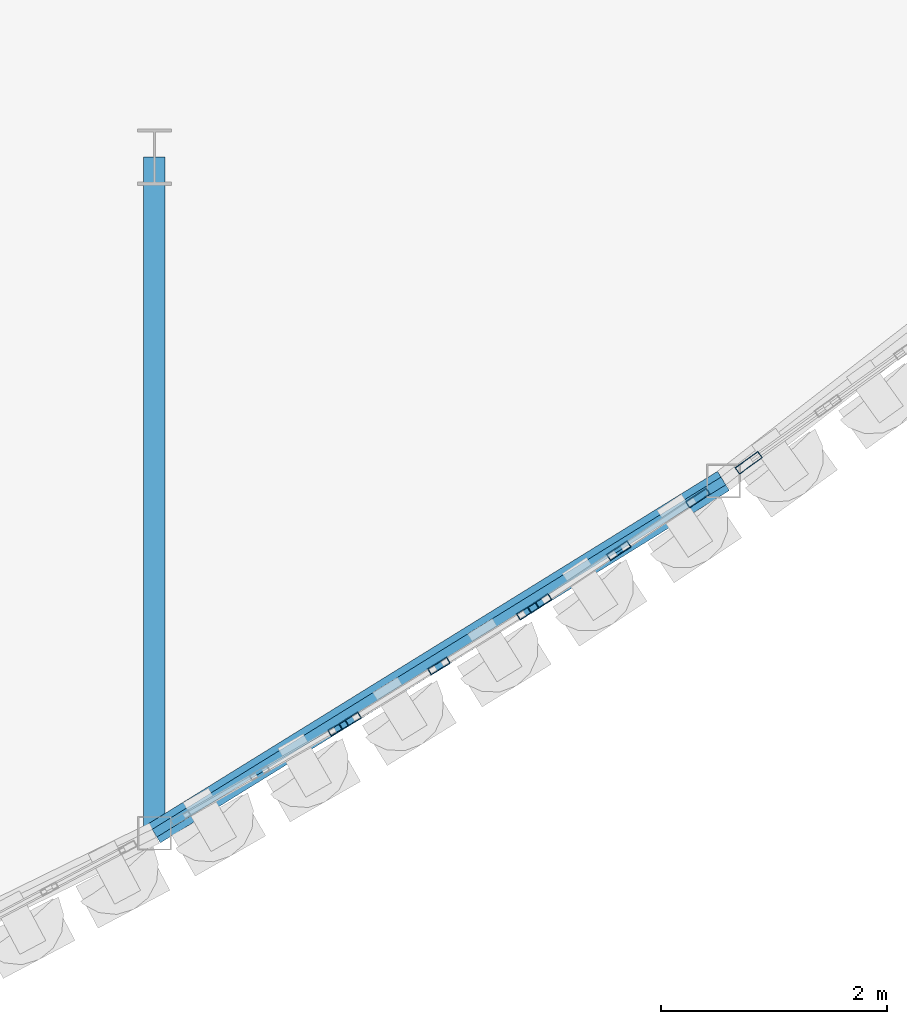
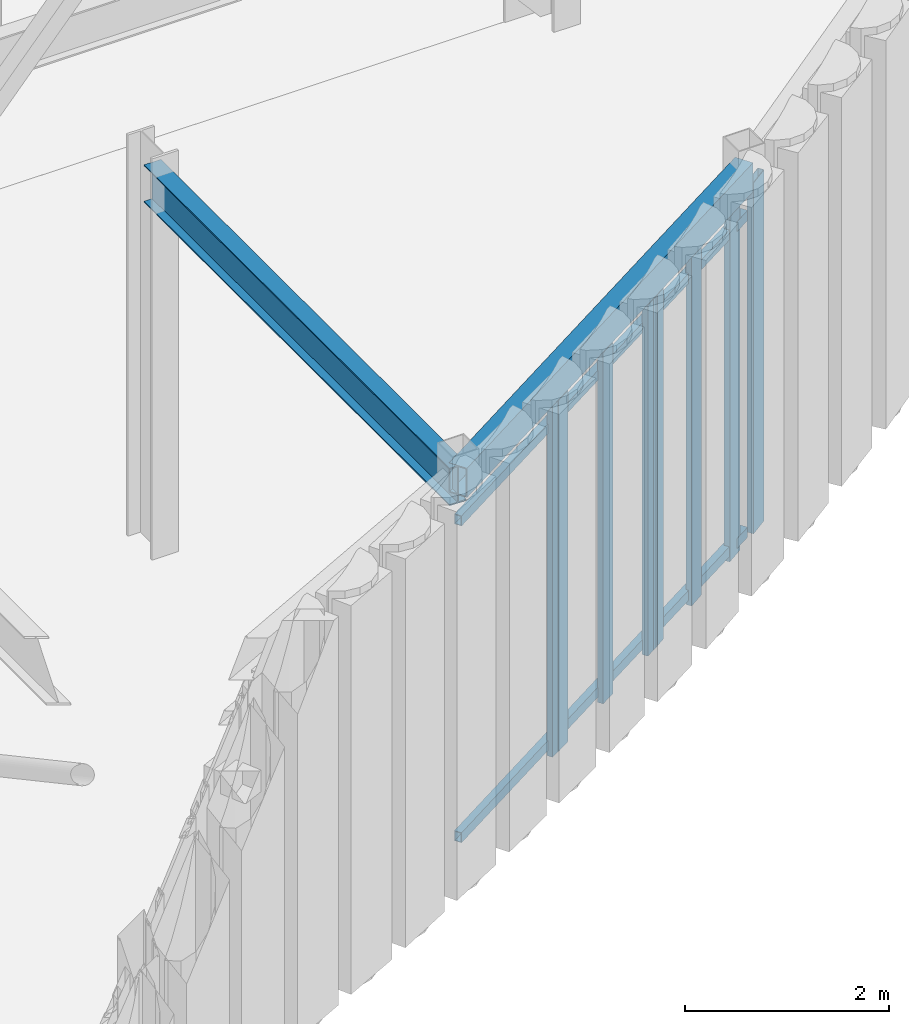
# One storey, part 49 of 121: 10 members, 2 beams, 4 elements without a shape of their own.
"""IFC4 building model written with IfcOpenShell, lengths in metres."""

from ifc_helpers import new_model, si_unit, direction, frame, origin, origin_2d, place, context, subcontext, project, spatial, hollow_rectangle, i_section, extrude, material, layer, layer_set, material_profile, profile_set, type_object, element, aggregate, save


model = new_model("IFC4")

# Units and contexts
model_context = context("Model", 3, precision=1e-05, world=origin(), true_north=direction((0.0, 1.0)))
body_context = subcontext(model_context, "Body", "Model", "MODEL_VIEW")
ifc_project = project(units=[si_unit("LENGTHUNIT", "METRE"), si_unit("AREAUNIT", "SQUARE_METRE"), si_unit("VOLUMEUNIT", "CUBIC_METRE"), si_unit("PLANEANGLEUNIT", "RADIAN"), si_unit("MASSUNIT", "GRAM", prefix="KILO")], contexts=[model_context])

# Site, building, storey
site_placement = place(None, origin())
site = spatial("IfcSite", under=ifc_project, at=site_placement, CompositionType="ELEMENT")
building_placement = place(site_placement, origin())
building = spatial("IfcBuilding", under=site, at=building_placement, Name="Solvadek Multi-Sports Hall", CompositionType="ELEMENT")
storey_placement = place(building_placement, frame((0.0, 0.0, 4.800048828125)))
storey = spatial("IfcBuildingStorey", under=building, at=storey_placement, Name="L01", CompositionType="ELEMENT", Elevation=4.800048828125)

# Curtain wall, member
ifc_material_1 = material(Name="Anodised aluminium", Category="aluminium")
ifc_layer_1 = layer(ifc_material_1, 0.159912109375, Name="Anodised aluminium")
ifc_layer_set_1 = layer_set([ifc_layer_1], Name="Anodised aluminium")
curtain_wall_type_1 = type_object("IfcCurtainWallType", Name="ENV-CW-167X420", PredefinedType="USERDEFINED", material=ifc_layer_set_1)
curtain_wall_1_placement = place(storey_placement, origin())
curtain_wall_1 = element("IfcCurtainWall", 1, at=curtain_wall_1_placement, inside=storey, type_object=curtain_wall_type_1, Name="L01 Crescent Curved Curtain Wall #97", ObjectType="CURTAIN WALL", PredefinedType="USERDEFINED")
ifc_material_profile_1 = material_profile(ifc_material_1, hollow_rectangle(XDim=0.06005859375, YDim=0.179931640625, WallThickness=0.00390625, at=origin_2d()), Name="ALU-M 180x60x4")
ifc_profile_set_1 = profile_set([ifc_material_profile_1], Name="Anodised aluminium")
member_type_1 = type_object("IfcMemberType", Name="ENV-CWM-02", PredefinedType="MULLION", material=ifc_profile_set_1)
member_1_placement = place(storey_placement, frame((123.307861328125, -5.045654296875, 0.0), z_axis=(0.0, 0.0, 1.0), x_axis=(-0.496991951402, 0.867755149937, 0.0)))
member_1 = element("IfcMember", 2, at=member_1_placement, type_object=member_type_1, Name="CW-30 mullion 3", PredefinedType="MULLION", context=body_context, shape_type="SweptSolid", body=[
    extrude(hollow_rectangle(XDim=0.06005859375, YDim=0.179931640625, WallThickness=0.00390625, at=origin_2d()), origin(), (0.0, 0.0, 1.0), 4.199951171875),
])
aggregate(curtain_wall_1, [member_1])

# Curtain wall, members
ifc_layer_2 = layer(ifc_material_1, 0.159912109375, Name="Anodised aluminium")
ifc_layer_set_2 = layer_set([ifc_layer_2], Name="Anodised aluminium")
curtain_wall_type_2 = type_object("IfcCurtainWallType", Name="ENV-CW-192X420", PredefinedType="USERDEFINED", material=ifc_layer_set_2)
curtain_wall_2_placement = place(storey_placement, origin())
curtain_wall_2 = element("IfcCurtainWall", 3, at=curtain_wall_2_placement, inside=storey, type_object=curtain_wall_type_2, Name="L01 Crescent Curved Curtain Wall #99", ObjectType="CURTAIN WALL", PredefinedType="USERDEFINED")
ifc_material_profile_2 = material_profile(ifc_material_1, hollow_rectangle(XDim=0.06494140625, YDim=0.199951171875, WallThickness=0.0048828125, at=origin_2d()), Name="ALU-M 200x65x5")
ifc_profile_set_2 = profile_set([ifc_material_profile_2], Name="Anodised aluminium")
member_type_2 = type_object("IfcMemberType", Name="ENV-CWM-03", PredefinedType="MULLION", material=ifc_profile_set_2)
member_2_placement = place(storey_placement, frame((123.4130859375, -4.98291015625, 0.0), z_axis=(0.0, 0.0, 1.0), x_axis=(-0.525815228639, 0.850598815736, 0.0)))
member_2 = element("IfcMember", 4, at=member_2_placement, type_object=member_type_2, Name="CW-31 mullion 1", PredefinedType="MULLION", context=body_context, shape_type="SweptSolid", body=[
    extrude(hollow_rectangle(XDim=0.06494140625, YDim=0.199951171875, WallThickness=0.0048828125, at=origin_2d()), origin(), (0.0, 0.0, 1.0), 4.199951171875),
])
member_3_placement = place(storey_placement, frame((124.199951171875, -4.49658203125, 0.0), z_axis=(0.0, 0.0, 1.0), x_axis=(-0.525815228639, 0.850598815736, 0.0)))
member_3 = element("IfcMember", 5, at=member_3_placement, type_object=member_type_2, Name="CW-31 mullion 2", PredefinedType="MULLION", context=body_context, shape_type="SweptSolid", body=[
    extrude(hollow_rectangle(XDim=0.06494140625, YDim=0.199951171875, WallThickness=0.0048828125, at=origin_2d()), origin(), (0.0, 0.0, 1.0), 4.199951171875),
])
member_4_placement = place(storey_placement, frame((124.98681640625, -4.010009765625, 0.0), z_axis=(0.0, 0.0, 1.0), x_axis=(-0.525815228639, 0.850598815736, 0.0)))
member_4 = element("IfcMember", 6, at=member_4_placement, type_object=member_type_2, Name="CW-31 mullion 3", PredefinedType="MULLION", context=body_context, shape_type="SweptSolid", body=[
    extrude(hollow_rectangle(XDim=0.06494140625, YDim=0.199951171875, WallThickness=0.0048828125, at=origin_2d()), origin(), (0.0, 0.0, 1.0), 4.199951171875),
])
aggregate(curtain_wall_2, [member_2, member_3, member_4])

ifc_layer_3 = layer(ifc_material_1, 0.159912109375, Name="Anodised aluminium")
ifc_layer_set_3 = layer_set([ifc_layer_3], Name="Anodised aluminium")
curtain_wall_type_3 = type_object("IfcCurtainWallType", Name="ENV-CW-175X420", PredefinedType="USERDEFINED", material=ifc_layer_set_3)
curtain_wall_3_placement = place(storey_placement, origin())
curtain_wall_3 = element("IfcCurtainWall", 7, at=curtain_wall_3_placement, inside=storey, type_object=curtain_wall_type_3, Name="L01 Crescent Curved Curtain Wall #101", ObjectType="CURTAIN WALL", PredefinedType="USERDEFINED")
ifc_material_profile_3 = material_profile(ifc_material_1, hollow_rectangle(XDim=0.06494140625, YDim=0.219970703125, WallThickness=0.0048828125, at=origin_2d()), Name="ALU-M 220x65x5")
ifc_profile_set_3 = profile_set([ifc_material_profile_3], Name="Anodised aluminium")
member_type_3 = type_object("IfcMemberType", Name="ENV-CWM-04", PredefinedType="MULLION", material=ifc_profile_set_3)
member_5_placement = place(storey_placement, frame((125.092041015625, -3.942626953125, 0.0), z_axis=(0.0, 0.0, 1.0), x_axis=(-0.554779352418, 0.831997518104, 0.0)))
member_5 = element("IfcMember", 8, at=member_5_placement, type_object=member_type_3, Name="CW-32 mullion 1", PredefinedType="MULLION", context=body_context, shape_type="SweptSolid", body=[
    extrude(hollow_rectangle(XDim=0.06494140625, YDim=0.219970703125, WallThickness=0.0048828125, at=origin_2d()), origin(), (0.0, 0.0, 1.0), 4.199951171875),
])
member_6_placement = place(storey_placement, frame((125.792724609375, -3.475341796875, 0.0), z_axis=(0.0, 0.0, 1.0), x_axis=(-0.554779352418, 0.831997518104, 0.0)))
member_6 = element("IfcMember", 9, at=member_6_placement, type_object=member_type_3, Name="CW-32 mullion 2", PredefinedType="MULLION", context=body_context, shape_type="SweptSolid", body=[
    extrude(hollow_rectangle(XDim=0.06494140625, YDim=0.219970703125, WallThickness=0.0048828125, at=origin_2d()), origin(), (0.0, 0.0, 1.0), 4.199951171875),
])
member_7_placement = place(storey_placement, frame((126.4931640625, -3.00830078125, 0.0), z_axis=(0.0, 0.0, 1.0), x_axis=(-0.554779352418, 0.831997518104, 0.0)))
member_7 = element("IfcMember", 10, at=member_7_placement, type_object=member_type_3, Name="CW-32 mullion 3", PredefinedType="MULLION", context=body_context, shape_type="SweptSolid", body=[
    extrude(hollow_rectangle(XDim=0.06494140625, YDim=0.219970703125, WallThickness=0.0048828125, at=origin_2d()), origin(), (0.0, 0.0, 1.0), 4.199951171875),
])
aggregate(curtain_wall_3, [member_5, member_6, member_7])

# Curtain wall, member
ifc_layer_4 = layer(ifc_material_1, 0.159912109375, Name="Anodised aluminium")
ifc_layer_set_4 = layer_set([ifc_layer_4], Name="Anodised aluminium")
curtain_wall_type_4 = type_object("IfcCurtainWallType", Name="ENV-CW-180X420", PredefinedType="USERDEFINED", material=ifc_layer_set_4)
curtain_wall_4_placement = place(storey_placement, origin())
curtain_wall_4 = element("IfcCurtainWall", 11, at=curtain_wall_4_placement, inside=storey, type_object=curtain_wall_type_4, Name="L01 Crescent Curved Curtain Wall #103", ObjectType="CURTAIN WALL", PredefinedType="USERDEFINED")
ifc_material_profile_4 = material_profile(ifc_material_1, hollow_rectangle(XDim=0.070068359375, YDim=0.25, WallThickness=0.0048828125, at=origin_2d()), Name="ALU-M 250x70x5")
ifc_profile_set_4 = profile_set([ifc_material_profile_4], Name="Anodised aluminium")
member_type_4 = type_object("IfcMemberType", Name="ENV-CWM-05", PredefinedType="MULLION", material=ifc_profile_set_4)
member_8_placement = place(storey_placement, frame((126.943359375, -2.696533203125, 0.0), z_axis=(0.0, 0.0, 1.0), x_axis=(-0.583570751005, 0.812062299686, 0.0)))
member_8 = element("IfcMember", 12, at=member_8_placement, type_object=member_type_4, Name="CW-33 mullion 1", PredefinedType="MULLION", context=body_context, shape_type="SweptSolid", body=[
    extrude(hollow_rectangle(XDim=0.070068359375, YDim=0.25, WallThickness=0.0048828125, at=origin_2d()), origin(), (0.0, 0.0, 1.0), 4.199951171875),
])
aggregate(curtain_wall_4, [member_8])

# Beams
ifc_material_2 = material(Name="Steel E350 (350 MPa)", Category="steel")
ifc_material_profile_5 = material_profile(ifc_material_2, i_section(OverallWidth=0.18994140625, OverallDepth=0.449951171875, WebThickness=0.009521484375, FlangeThickness=0.0146484375, at=origin_2d()), Name="NPB 450")
ifc_profile_set_5 = profile_set([ifc_material_profile_5], Name="Steel E350 (350 MPa)")
beam_type_1 = type_object("IfcBeamType", Name="STR-BM-NPB450", PredefinedType="BEAM", material=ifc_profile_set_5)
beam_1_placement = place(storey_placement, frame((121.679931640625, -5.97802734375, 4.3349609375), z_axis=(0.0, 1.0, 0.0), x_axis=(-1.0, 0.0, 0.0)))
element("IfcBeam", 13, at=beam_1_placement, inside=storey, type_object=beam_type_1, Name="L01 Girder B-08 #1290", PredefinedType="BEAM", context=body_context, shape_type="SweptSolid", body=[
    extrude(i_section(OverallWidth=0.18994140625, OverallDepth=0.449951171875, WebThickness=0.009521484375, FlangeThickness=0.0146484375, at=origin_2d()), origin(), (0.0, 0.0, 1.0), 5.989013671875),
])
ifc_material_profile_6 = material_profile(ifc_material_2, hollow_rectangle(XDim=0.199951171875, YDim=0.35009765625, WallThickness=0.011962890625, at=origin_2d()), Name="RHS 350x200x12")
ifc_profile_set_6 = profile_set([ifc_material_profile_6], Name="Steel E350 (350 MPa)")
beam_type_2 = type_object("IfcBeamType", Name="STR-SPN-RHS350", PredefinedType="SPANDREL", material=ifc_profile_set_6)
beam_2_placement = place(storey_placement, frame((121.679931640625, -5.97802734375, 4.385009765625), z_axis=(0.850202824587, 0.526455275465, 0.0), x_axis=(-0.526455275465, 0.850202824587, 0.0)))
element("IfcBeam", 14, at=beam_2_placement, inside=storey, type_object=beam_type_2, Name="L01 Curved Crescent Spandrel #55", PredefinedType="SPANDREL", context=body_context, shape_type="SweptSolid", body=[
    extrude(hollow_rectangle(XDim=0.199951171875, YDim=0.35009765625, WallThickness=0.011962890625, at=origin_2d()), origin(), (0.0, 0.0, 1.0), 5.927978515625),
])

# Members
ifc_material_3 = material(Name="Steel E250 (250 MPa)", Category="steel")
ifc_material_profile_7 = material_profile(ifc_material_3, hollow_rectangle(XDim=0.080078125, YDim=0.1201171875, WallThickness=0.006103515625, at=origin_2d()), Name="RHS 120x80x6")
ifc_profile_set_7 = profile_set([ifc_material_profile_7], Name="Steel E250 (250 MPa)")
member_type_5 = type_object("IfcMemberType", Name="STR-STD-RHS120", PredefinedType="STUD", material=ifc_profile_set_7)
for number, where, z_axis, x_axis, name in (
    (15, (121.679931640625, -5.97802734375, 0.119873046875), (0.850202824587, 0.526455275465, 0.0), (-0.526455275465, 0.850202824587, 0.0), "L01 Flute Subframe Rail E-8 bot"),
    (16, (121.679931640625, -5.97802734375, 3.909912109375), (0.850202824587, 0.526455275465, 0.0), (-0.526455275465, 0.850202824587, 0.0), "L01 Flute Subframe Rail E-8 top"),
):
    element("IfcMember", number, at=place(storey_placement, frame(where, z_axis=z_axis, x_axis=x_axis)), inside=storey, type_object=member_type_5, Name=name, PredefinedType="STUD", context=body_context, shape_type="SweptSolid", body=[
        extrude(hollow_rectangle(XDim=0.080078125, YDim=0.1201171875, WallThickness=0.006103515625, at=origin_2d()), origin(), (0.0, 0.0, 1.0), 5.927978515625),
    ])

save(model, "model.ifc")
